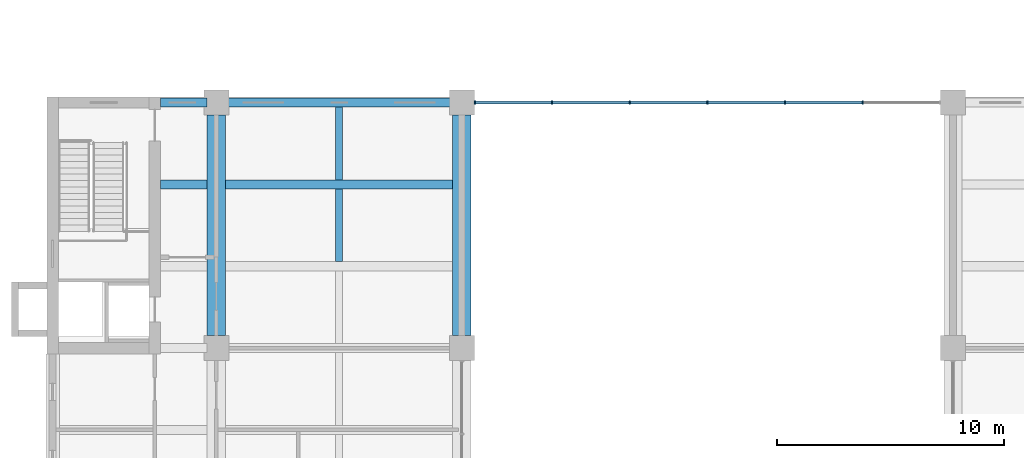
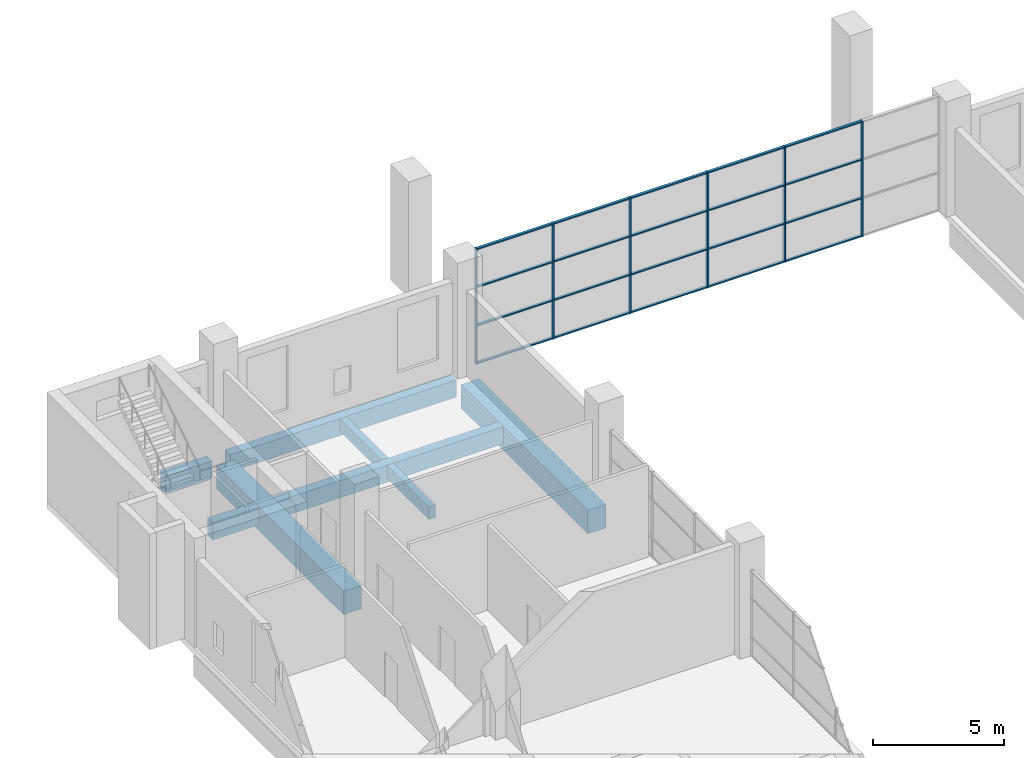
# One storey, part 10 of 32: 26 members, 8 beams, 1 element without a shape of its own.
"""IFC4 building model written with IfcOpenShell, lengths in metres."""

from ifc_helpers import new_model, si_unit, direction, frame, origin, origin_2d, place, context, subcontext, project, spatial, rectangle, extrude, material, layer, layer_set, material_profile, profile_set, type_object, element, aggregate, save


model = new_model("IFC4")

# Units and contexts
model_context = context("Model", 3, precision=1e-05, world=origin(), true_north=direction((0.0, 1.0)))
body_context = subcontext(model_context, "Body", "Model", "MODEL_VIEW")
ifc_project = project(units=[si_unit("LENGTHUNIT", "METRE"), si_unit("AREAUNIT", "SQUARE_METRE"), si_unit("VOLUMEUNIT", "CUBIC_METRE"), si_unit("PLANEANGLEUNIT", "RADIAN"), si_unit("MASSUNIT", "GRAM", prefix="KILO")], contexts=[model_context])

# Site, building, storey
site_placement = place(None, origin())
site = spatial("IfcSite", under=ifc_project, at=site_placement, CompositionType="ELEMENT")
building_placement = place(site_placement, origin())
building = spatial("IfcBuilding", under=site, at=building_placement, Name="Basin Gate Institute", CompositionType="ELEMENT")
storey_placement = place(building_placement, frame((0.0, 0.0, 11.39990234375)))
storey = spatial("IfcBuildingStorey", under=building, at=storey_placement, Name="L02", CompositionType="ELEMENT", Elevation=11.39990234375)

# Curtain wall, members
ifc_material_1 = material(Name="Aluminium and glass curtain wall", Category="aluminium")
ifc_layer = layer(ifc_material_1, 0.14990234375)
ifc_layer_set = layer_set([ifc_layer], Name="Atrium curtain wall CW81")
curtain_wall_type = type_object("IfcCurtainWallType", Name="Atrium curtain wall CW81", PredefinedType="NOTDEFINED", material=ifc_layer_set)
curtain_wall_placement = place(storey_placement, origin())
curtain_wall = element("IfcCurtainWall", 1, at=curtain_wall_placement, inside=storey, type_object=curtain_wall_type, material=ifc_layer_set, Name="Atrium end screen N L02", PredefinedType="NOTDEFINED")
ifc_material_2 = material(Name="Aluminium mullion", Category="aluminium")
ifc_material_profile_1 = material_profile(ifc_material_2, rectangle(XDim=0.159912109375, YDim=0.06005859375, at=origin_2d()), Name="Atrium mullion MU81 160 x 60")
ifc_profile_set_1 = profile_set([ifc_material_profile_1], Name="Aluminium mullion")
member_type_1 = type_object("IfcMemberType", Name="Atrium mullion MU81", PredefinedType="MULLION", material=ifc_profile_set_1)
member_1_placement = place(storey_placement, frame((79.780029296875, 99.89990234375, 0.0), z_axis=(0.0, 0.0, 1.0), x_axis=(0.0, 1.0, 0.0)))
member_1 = element("IfcMember", 2, at=member_1_placement, type_object=member_type_1, material=ifc_profile_set_1, Name="CW81 mullion 1", PredefinedType="MULLION", context=body_context, shape_type="SweptSolid", body=[
    extrude(rectangle(XDim=0.159912109375, YDim=0.06005859375, at=origin_2d()), origin(), (0.0, 0.0, 1.0), 5.400146484375),
])
member_2_placement = place(storey_placement, frame((83.166748046875, 99.89990234375, 0.0), z_axis=(0.0, 0.0, 1.0), x_axis=(0.0, 1.0, 0.0)))
member_2 = element("IfcMember", 3, at=member_2_placement, type_object=member_type_1, material=ifc_profile_set_1, Name="CW81 mullion 2", PredefinedType="MULLION", context=body_context, shape_type="SweptSolid", body=[
    extrude(rectangle(XDim=0.159912109375, YDim=0.06005859375, at=origin_2d()), origin(), (0.0, 0.0, 1.0), 5.400146484375),
])
member_3_placement = place(storey_placement, frame((86.583251953125, 99.89990234375, 0.0), z_axis=(0.0, 0.0, 1.0), x_axis=(0.0, 1.0, 0.0)))
member_3 = element("IfcMember", 4, at=member_3_placement, type_object=member_type_1, material=ifc_profile_set_1, Name="CW81 mullion 3", PredefinedType="MULLION", context=body_context, shape_type="SweptSolid", body=[
    extrude(rectangle(XDim=0.159912109375, YDim=0.06005859375, at=origin_2d()), origin(), (0.0, 0.0, 1.0), 5.400146484375),
])
member_4_placement = place(storey_placement, frame((90.0, 99.89990234375, 0.0), z_axis=(0.0, 0.0, 1.0), x_axis=(0.0, 1.0, 0.0)))
member_4 = element("IfcMember", 5, at=member_4_placement, type_object=member_type_1, material=ifc_profile_set_1, Name="CW81 mullion 4", PredefinedType="MULLION", context=body_context, shape_type="SweptSolid", body=[
    extrude(rectangle(XDim=0.159912109375, YDim=0.06005859375, at=origin_2d()), origin(), (0.0, 0.0, 1.0), 5.400146484375),
])
member_5_placement = place(storey_placement, frame((93.416748046875, 99.89990234375, 0.0), z_axis=(0.0, 0.0, 1.0), x_axis=(0.0, 1.0, 0.0)))
member_5 = element("IfcMember", 6, at=member_5_placement, type_object=member_type_1, material=ifc_profile_set_1, Name="CW81 mullion 5", PredefinedType="MULLION", context=body_context, shape_type="SweptSolid", body=[
    extrude(rectangle(XDim=0.159912109375, YDim=0.06005859375, at=origin_2d()), origin(), (0.0, 0.0, 1.0), 5.400146484375),
])
member_6_placement = place(storey_placement, frame((96.833251953125, 99.89990234375, 0.0), z_axis=(0.0, 0.0, 1.0), x_axis=(0.0, 1.0, 0.0)))
member_6 = element("IfcMember", 7, at=member_6_placement, type_object=member_type_1, material=ifc_profile_set_1, Name="CW81 mullion 6", PredefinedType="MULLION", context=body_context, shape_type="SweptSolid", body=[
    extrude(rectangle(XDim=0.159912109375, YDim=0.06005859375, at=origin_2d()), origin(), (0.0, 0.0, 1.0), 5.400146484375),
])
ifc_material_3 = material(Name="Aluminium transom", Category="aluminium")
ifc_material_profile_2 = material_profile(ifc_material_3, rectangle(XDim=0.1201171875, YDim=0.06005859375, at=origin_2d()), Name="Atrium transom TR81 120 x 60")
ifc_profile_set_2 = profile_set([ifc_material_profile_2], Name="Aluminium transom")
member_type_2 = type_object("IfcMemberType", Name="Atrium transom TR81", PredefinedType="USERDEFINED", material=ifc_profile_set_2)
member_7_placement = place(storey_placement, frame((79.81005859375, 99.89990234375, 0.030029296875), z_axis=(1.0, 0.0, 0.0), x_axis=(0.0, 1.0, 0.0)))
member_7 = element("IfcMember", 8, at=member_7_placement, type_object=member_type_2, material=ifc_profile_set_2, Name="CW81 transom 1.1", ObjectType="TRANSOM", PredefinedType="USERDEFINED", context=body_context, shape_type="SweptSolid", body=[
    extrude(rectangle(XDim=0.1201171875, YDim=0.06005859375, at=origin_2d()), origin(), (0.0, 0.0, 1.0), 3.32666015625),
])
member_8_placement = place(storey_placement, frame((79.81005859375, 99.89990234375, 1.800048828125), z_axis=(1.0, 0.0, 0.0), x_axis=(0.0, 1.0, 0.0)))
member_8 = element("IfcMember", 9, at=member_8_placement, type_object=member_type_2, material=ifc_profile_set_2, Name="CW81 transom 1.2", ObjectType="TRANSOM", PredefinedType="USERDEFINED", context=body_context, shape_type="SweptSolid", body=[
    extrude(rectangle(XDim=0.1201171875, YDim=0.06005859375, at=origin_2d()), origin(), (0.0, 0.0, 1.0), 3.32666015625),
])
member_9_placement = place(storey_placement, frame((79.81005859375, 99.89990234375, 3.60009765625), z_axis=(1.0, 0.0, 0.0), x_axis=(0.0, 1.0, 0.0)))
member_9 = element("IfcMember", 10, at=member_9_placement, type_object=member_type_2, material=ifc_profile_set_2, Name="CW81 transom 1.3", ObjectType="TRANSOM", PredefinedType="USERDEFINED", context=body_context, shape_type="SweptSolid", body=[
    extrude(rectangle(XDim=0.1201171875, YDim=0.06005859375, at=origin_2d()), origin(), (0.0, 0.0, 1.0), 3.32666015625),
])
member_10_placement = place(storey_placement, frame((79.81005859375, 99.89990234375, 5.3701171875), z_axis=(1.0, 0.0, 0.0), x_axis=(0.0, 1.0, 0.0)))
member_10 = element("IfcMember", 11, at=member_10_placement, type_object=member_type_2, material=ifc_profile_set_2, Name="CW81 transom 1.4", ObjectType="TRANSOM", PredefinedType="USERDEFINED", context=body_context, shape_type="SweptSolid", body=[
    extrude(rectangle(XDim=0.1201171875, YDim=0.06005859375, at=origin_2d()), origin(), (0.0, 0.0, 1.0), 3.32666015625),
])
member_11_placement = place(storey_placement, frame((83.19677734375, 99.89990234375, 0.030029296875), z_axis=(1.0, 0.0, 0.0), x_axis=(0.0, 1.0, 0.0)))
member_11 = element("IfcMember", 12, at=member_11_placement, type_object=member_type_2, material=ifc_profile_set_2, Name="CW81 transom 2.1", ObjectType="TRANSOM", PredefinedType="USERDEFINED", context=body_context, shape_type="SweptSolid", body=[
    extrude(rectangle(XDim=0.1201171875, YDim=0.06005859375, at=origin_2d()), origin(), (0.0, 0.0, 1.0), 3.3564453125),
])
member_12_placement = place(storey_placement, frame((83.19677734375, 99.89990234375, 1.800048828125), z_axis=(1.0, 0.0, 0.0), x_axis=(0.0, 1.0, 0.0)))
member_12 = element("IfcMember", 13, at=member_12_placement, type_object=member_type_2, material=ifc_profile_set_2, Name="CW81 transom 2.2", ObjectType="TRANSOM", PredefinedType="USERDEFINED", context=body_context, shape_type="SweptSolid", body=[
    extrude(rectangle(XDim=0.1201171875, YDim=0.06005859375, at=origin_2d()), origin(), (0.0, 0.0, 1.0), 3.3564453125),
])
member_13_placement = place(storey_placement, frame((83.19677734375, 99.89990234375, 3.60009765625), z_axis=(1.0, 0.0, 0.0), x_axis=(0.0, 1.0, 0.0)))
member_13 = element("IfcMember", 14, at=member_13_placement, type_object=member_type_2, material=ifc_profile_set_2, Name="CW81 transom 2.3", ObjectType="TRANSOM", PredefinedType="USERDEFINED", context=body_context, shape_type="SweptSolid", body=[
    extrude(rectangle(XDim=0.1201171875, YDim=0.06005859375, at=origin_2d()), origin(), (0.0, 0.0, 1.0), 3.3564453125),
])
member_14_placement = place(storey_placement, frame((83.19677734375, 99.89990234375, 5.3701171875), z_axis=(1.0, 0.0, 0.0), x_axis=(0.0, 1.0, 0.0)))
member_14 = element("IfcMember", 15, at=member_14_placement, type_object=member_type_2, material=ifc_profile_set_2, Name="CW81 transom 2.4", ObjectType="TRANSOM", PredefinedType="USERDEFINED", context=body_context, shape_type="SweptSolid", body=[
    extrude(rectangle(XDim=0.1201171875, YDim=0.06005859375, at=origin_2d()), origin(), (0.0, 0.0, 1.0), 3.3564453125),
])
member_15_placement = place(storey_placement, frame((86.61328125, 99.89990234375, 0.030029296875), z_axis=(1.0, 0.0, 0.0), x_axis=(0.0, 1.0, 0.0)))
member_15 = element("IfcMember", 16, at=member_15_placement, type_object=member_type_2, material=ifc_profile_set_2, Name="CW81 transom 3.1", ObjectType="TRANSOM", PredefinedType="USERDEFINED", context=body_context, shape_type="SweptSolid", body=[
    extrude(rectangle(XDim=0.1201171875, YDim=0.06005859375, at=origin_2d()), origin(), (0.0, 0.0, 1.0), 3.356689453125),
])
member_16_placement = place(storey_placement, frame((86.61328125, 99.89990234375, 1.800048828125), z_axis=(1.0, 0.0, 0.0), x_axis=(0.0, 1.0, 0.0)))
member_16 = element("IfcMember", 17, at=member_16_placement, type_object=member_type_2, material=ifc_profile_set_2, Name="CW81 transom 3.2", ObjectType="TRANSOM", PredefinedType="USERDEFINED", context=body_context, shape_type="SweptSolid", body=[
    extrude(rectangle(XDim=0.1201171875, YDim=0.06005859375, at=origin_2d()), origin(), (0.0, 0.0, 1.0), 3.356689453125),
])
member_17_placement = place(storey_placement, frame((86.61328125, 99.89990234375, 3.60009765625), z_axis=(1.0, 0.0, 0.0), x_axis=(0.0, 1.0, 0.0)))
member_17 = element("IfcMember", 18, at=member_17_placement, type_object=member_type_2, material=ifc_profile_set_2, Name="CW81 transom 3.3", ObjectType="TRANSOM", PredefinedType="USERDEFINED", context=body_context, shape_type="SweptSolid", body=[
    extrude(rectangle(XDim=0.1201171875, YDim=0.06005859375, at=origin_2d()), origin(), (0.0, 0.0, 1.0), 3.356689453125),
])
member_18_placement = place(storey_placement, frame((86.61328125, 99.89990234375, 5.3701171875), z_axis=(1.0, 0.0, 0.0), x_axis=(0.0, 1.0, 0.0)))
member_18 = element("IfcMember", 19, at=member_18_placement, type_object=member_type_2, material=ifc_profile_set_2, Name="CW81 transom 3.4", ObjectType="TRANSOM", PredefinedType="USERDEFINED", context=body_context, shape_type="SweptSolid", body=[
    extrude(rectangle(XDim=0.1201171875, YDim=0.06005859375, at=origin_2d()), origin(), (0.0, 0.0, 1.0), 3.356689453125),
])
member_19_placement = place(storey_placement, frame((90.030029296875, 99.89990234375, 0.030029296875), z_axis=(1.0, 0.0, 0.0), x_axis=(0.0, 1.0, 0.0)))
member_19 = element("IfcMember", 20, at=member_19_placement, type_object=member_type_2, material=ifc_profile_set_2, Name="CW81 transom 4.1", ObjectType="TRANSOM", PredefinedType="USERDEFINED", context=body_context, shape_type="SweptSolid", body=[
    extrude(rectangle(XDim=0.1201171875, YDim=0.06005859375, at=origin_2d()), origin(), (0.0, 0.0, 1.0), 3.356689453125),
])
member_20_placement = place(storey_placement, frame((90.030029296875, 99.89990234375, 1.800048828125), z_axis=(1.0, 0.0, 0.0), x_axis=(0.0, 1.0, 0.0)))
member_20 = element("IfcMember", 21, at=member_20_placement, type_object=member_type_2, material=ifc_profile_set_2, Name="CW81 transom 4.2", ObjectType="TRANSOM", PredefinedType="USERDEFINED", context=body_context, shape_type="SweptSolid", body=[
    extrude(rectangle(XDim=0.1201171875, YDim=0.06005859375, at=origin_2d()), origin(), (0.0, 0.0, 1.0), 3.356689453125),
])
member_21_placement = place(storey_placement, frame((90.030029296875, 99.89990234375, 3.60009765625), z_axis=(1.0, 0.0, 0.0), x_axis=(0.0, 1.0, 0.0)))
member_21 = element("IfcMember", 22, at=member_21_placement, type_object=member_type_2, material=ifc_profile_set_2, Name="CW81 transom 4.3", ObjectType="TRANSOM", PredefinedType="USERDEFINED", context=body_context, shape_type="SweptSolid", body=[
    extrude(rectangle(XDim=0.1201171875, YDim=0.06005859375, at=origin_2d()), origin(), (0.0, 0.0, 1.0), 3.356689453125),
])
member_22_placement = place(storey_placement, frame((90.030029296875, 99.89990234375, 5.3701171875), z_axis=(1.0, 0.0, 0.0), x_axis=(0.0, 1.0, 0.0)))
member_22 = element("IfcMember", 23, at=member_22_placement, type_object=member_type_2, material=ifc_profile_set_2, Name="CW81 transom 4.4", ObjectType="TRANSOM", PredefinedType="USERDEFINED", context=body_context, shape_type="SweptSolid", body=[
    extrude(rectangle(XDim=0.1201171875, YDim=0.06005859375, at=origin_2d()), origin(), (0.0, 0.0, 1.0), 3.356689453125),
])
member_23_placement = place(storey_placement, frame((93.44677734375, 99.89990234375, 0.030029296875), z_axis=(1.0, 0.0, 0.0), x_axis=(0.0, 1.0, 0.0)))
member_23 = element("IfcMember", 24, at=member_23_placement, type_object=member_type_2, material=ifc_profile_set_2, Name="CW81 transom 5.1", ObjectType="TRANSOM", PredefinedType="USERDEFINED", context=body_context, shape_type="SweptSolid", body=[
    extrude(rectangle(XDim=0.1201171875, YDim=0.06005859375, at=origin_2d()), origin(), (0.0, 0.0, 1.0), 3.3564453125),
])
member_24_placement = place(storey_placement, frame((93.44677734375, 99.89990234375, 1.800048828125), z_axis=(1.0, 0.0, 0.0), x_axis=(0.0, 1.0, 0.0)))
member_24 = element("IfcMember", 25, at=member_24_placement, type_object=member_type_2, material=ifc_profile_set_2, Name="CW81 transom 5.2", ObjectType="TRANSOM", PredefinedType="USERDEFINED", context=body_context, shape_type="SweptSolid", body=[
    extrude(rectangle(XDim=0.1201171875, YDim=0.06005859375, at=origin_2d()), origin(), (0.0, 0.0, 1.0), 3.3564453125),
])
member_25_placement = place(storey_placement, frame((93.44677734375, 99.89990234375, 3.60009765625), z_axis=(1.0, 0.0, 0.0), x_axis=(0.0, 1.0, 0.0)))
member_25 = element("IfcMember", 26, at=member_25_placement, type_object=member_type_2, material=ifc_profile_set_2, Name="CW81 transom 5.3", ObjectType="TRANSOM", PredefinedType="USERDEFINED", context=body_context, shape_type="SweptSolid", body=[
    extrude(rectangle(XDim=0.1201171875, YDim=0.06005859375, at=origin_2d()), origin(), (0.0, 0.0, 1.0), 3.3564453125),
])
member_26_placement = place(storey_placement, frame((93.44677734375, 99.89990234375, 5.3701171875), z_axis=(1.0, 0.0, 0.0), x_axis=(0.0, 1.0, 0.0)))
member_26 = element("IfcMember", 27, at=member_26_placement, type_object=member_type_2, material=ifc_profile_set_2, Name="CW81 transom 5.4", ObjectType="TRANSOM", PredefinedType="USERDEFINED", context=body_context, shape_type="SweptSolid", body=[
    extrude(rectangle(XDim=0.1201171875, YDim=0.06005859375, at=origin_2d()), origin(), (0.0, 0.0, 1.0), 3.3564453125),
])
aggregate(curtain_wall, [member_1, member_2, member_3, member_4, member_5, member_6, member_7, member_8, member_9, member_10, member_11, member_12, member_13, member_14, member_15, member_16, member_17, member_18, member_19, member_20, member_21, member_22, member_23, member_24, member_25, member_26])

# Beams
ifc_material_4 = material(Name="Concrete 40 MPa", Category="concrete")
ifc_material_profile_3 = material_profile(ifc_material_4, rectangle(XDim=0.39990234375, YDim=0.800048828125, at=origin_2d()), Name="Beam B2 400 x 800")
ifc_profile_set_3 = profile_set([ifc_material_profile_3], Name="Concrete 40 MPa")
beam_type_1 = type_object("IfcBeamType", Name="Beam B2 R180", PredefinedType="BEAM", material=ifc_profile_set_3)
beam_1_placement = place(storey_placement, frame((68.800048828125, 96.300048828125, -0.699951171875), z_axis=(1.0, 0.0, 0.0), x_axis=(0.0, 1.0, 0.0)))
element("IfcBeam", 28, at=beam_1_placement, inside=storey, type_object=beam_type_1, material=ifc_profile_set_3, Name="BEAM/L02/W/EW/18", PredefinedType="BEAM", context=body_context, shape_type="SweptSolid", body=[
    extrude(rectangle(XDim=0.39990234375, YDim=0.800048828125, at=origin_2d()), origin(), (0.0, 0.0, 1.0), 10.0),
])
beam_2_placement = place(storey_placement, frame((65.949951171875, 96.300048828125, -0.699951171875), z_axis=(1.0, 0.0, 0.0), x_axis=(0.0, 1.0, 0.0)))
element("IfcBeam", 29, at=beam_2_placement, inside=storey, type_object=beam_type_1, material=ifc_profile_set_3, Name="BEAM/L02/W/CORR/18", PredefinedType="BEAM", context=body_context, shape_type="SweptSolid", body=[
    extrude(rectangle(XDim=0.39990234375, YDim=0.800048828125, at=origin_2d()), origin(), (0.0, 0.0, 1.0), 2.050048828125),
])
beam_3_placement = place(storey_placement, frame((68.800048828125, 99.89990234375, -0.699951171875), z_axis=(1.0, 0.0, 0.0), x_axis=(0.0, 1.0, 0.0)))
element("IfcBeam", 30, at=beam_3_placement, inside=storey, type_object=beam_type_1, material=ifc_profile_set_3, Name="BEAM/L02/W/EW/19", PredefinedType="BEAM", context=body_context, shape_type="SweptSolid", body=[
    extrude(rectangle(XDim=0.39990234375, YDim=0.800048828125, at=origin_2d()), origin(), (0.0, 0.0, 1.0), 10.0),
])
beam_4_placement = place(storey_placement, frame((65.949951171875, 99.89990234375, -0.699951171875), z_axis=(1.0, 0.0, 0.0), x_axis=(0.0, 1.0, 0.0)))
element("IfcBeam", 31, at=beam_4_placement, inside=storey, type_object=beam_type_1, material=ifc_profile_set_3, Name="BEAM/L02/W/CORR/19", PredefinedType="BEAM", context=body_context, shape_type="SweptSolid", body=[
    extrude(rectangle(XDim=0.39990234375, YDim=0.800048828125, at=origin_2d()), origin(), (0.0, 0.0, 1.0), 2.050048828125),
])
ifc_material_5 = material(Name="Concrete 50 MPa", Category="concrete")
ifc_material_profile_4 = material_profile(ifc_material_5, rectangle(XDim=0.800048828125, YDim=1.10009765625, at=origin_2d()), Name="Girder G2 800 x 1100")
ifc_profile_set_4 = profile_set([ifc_material_profile_4], Name="Concrete 50 MPa")
beam_type_2 = type_object("IfcBeamType", Name="Girder G2 R180", PredefinedType="BEAM", material=ifc_profile_set_4)
for number, where, z_axis, x_axis, name in (
    (32, (68.39990234375, 89.64990234375, -0.849853515625), (0.0, 1.0, 0.0), (-1.0, 0.0, 0.0), "GIR/L02/W5/6"),
    (33, (79.199951171875, 89.64990234375, -0.849853515625), (0.0, 1.0, 0.0), (-1.0, 0.0, 0.0), "GIR/L02/W6/6"),
):
    element("IfcBeam", number, at=place(storey_placement, frame(where, z_axis=z_axis, x_axis=x_axis)), inside=storey, type_object=beam_type_2, material=ifc_profile_set_4, Name=name, PredefinedType="BEAM", context=body_context, shape_type="SweptSolid", body=[
        extrude(rectangle(XDim=0.800048828125, YDim=1.10009765625, at=origin_2d()), origin(), (0.0, 0.0, 1.0), 9.7001953125),
    ])
ifc_material_6 = material(Name="Concrete 40 MPa", Category="concrete")
ifc_material_profile_5 = material_profile(ifc_material_6, rectangle(XDim=0.300048828125, YDim=0.60009765625, at=origin_2d()), Name="Rib R2 300 x 600")
ifc_profile_set_5 = profile_set([ifc_material_profile_5], Name="Concrete 40 MPa")
beam_type_3 = type_object("IfcBeamType", Name="Rib R2 R180", PredefinedType="JOIST", material=ifc_profile_set_5)
beam_5_placement = place(storey_placement, frame((73.800048828125, 92.89990234375, -0.599853515625), z_axis=(0.0, 1.0, 0.0), x_axis=(-1.0, 0.0, 0.0)))
element("IfcBeam", 34, at=beam_5_placement, inside=storey, type_object=beam_type_3, material=ifc_profile_set_5, Name="BEAM/L02/W/RIB/17", PredefinedType="JOIST", context=body_context, shape_type="SweptSolid", body=[
    extrude(rectangle(XDim=0.300048828125, YDim=0.60009765625, at=origin_2d()), origin(), (0.0, 0.0, 1.0), 3.2001953125),
])
beam_6_placement = place(storey_placement, frame((73.800048828125, 96.5, -0.599853515625), z_axis=(0.0, 1.0, 0.0), x_axis=(-1.0, 0.0, 0.0)))
element("IfcBeam", 35, at=beam_6_placement, inside=storey, type_object=beam_type_3, material=ifc_profile_set_5, Name="BEAM/L02/W/RIB/18", PredefinedType="JOIST", context=body_context, shape_type="SweptSolid", body=[
    extrude(rectangle(XDim=0.300048828125, YDim=0.60009765625, at=origin_2d()), origin(), (0.0, 0.0, 1.0), 3.199951171875),
])

save(model, "model.ifc")
